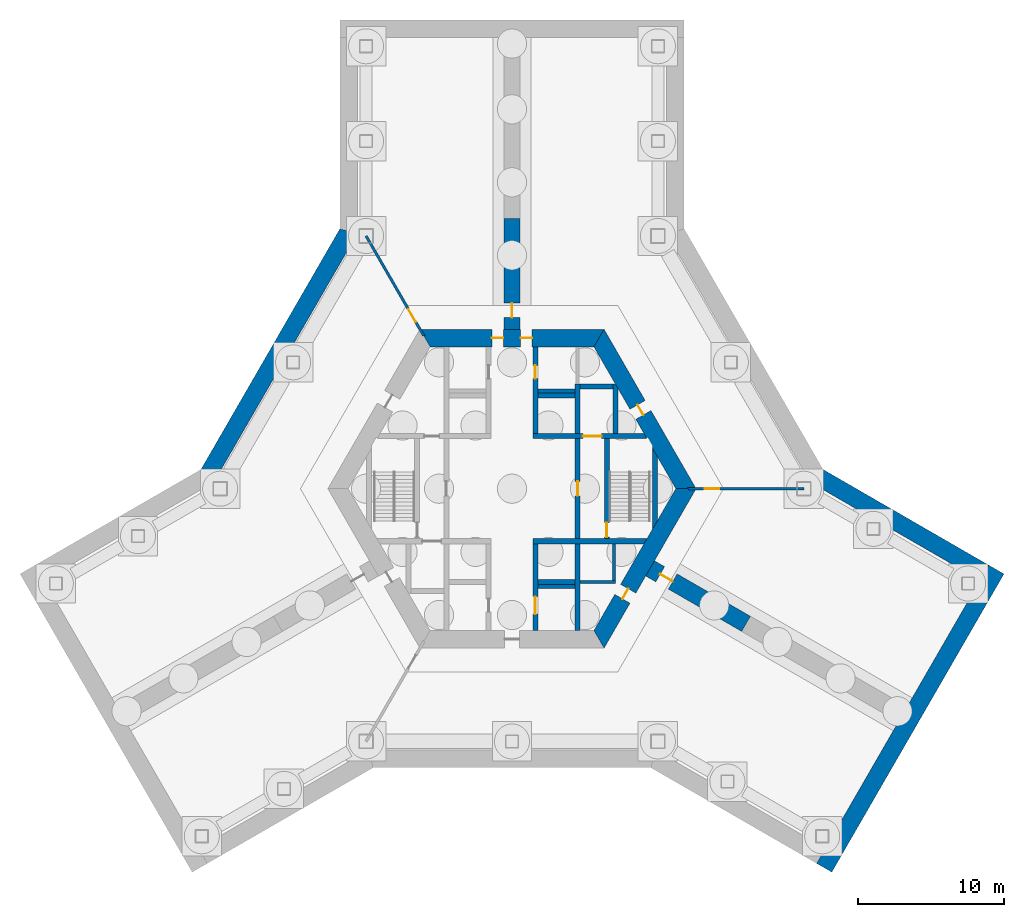
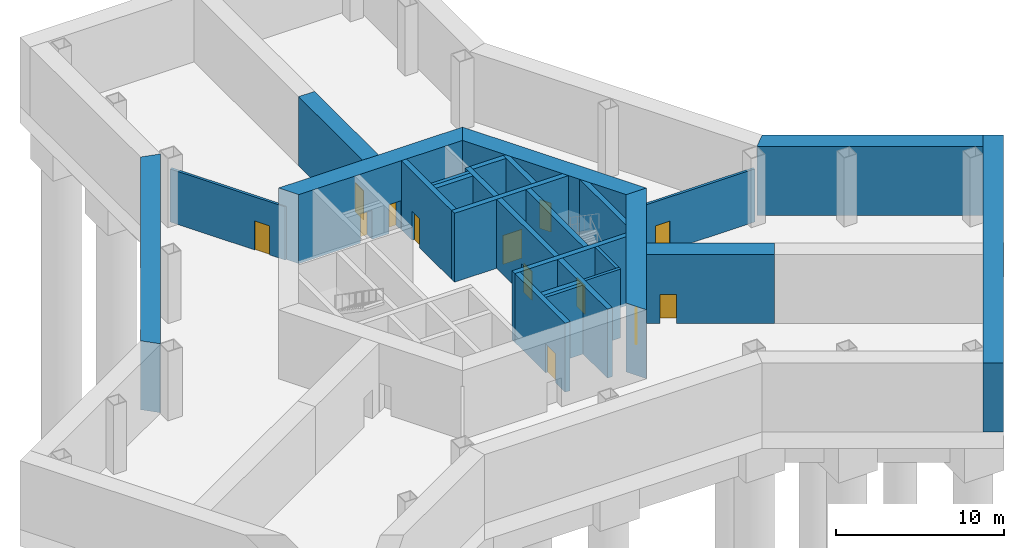
# One storey, part 3 of 5: 27 walls, 13 doors, 13 openings.
"""IFC4 building model written with IfcOpenShell, lengths in metres."""

from ifc_helpers import new_model, si_unit, direction, frame, frame_2d, origin, place, context, subcontext, project, spatial, polyline, rectangle, outline, extrude, material, layer, layer_set, type_object, element, fill, save


model = new_model("IFC4")

# Units and contexts
model_context = context("Model", 3, precision=1e-05, world=origin(), true_north=direction((0.0, 1.0)))
body_context = subcontext(model_context, "Body", "Model", "MODEL_VIEW")
ifc_project = project(units=[si_unit("LENGTHUNIT", "METRE"), si_unit("AREAUNIT", "SQUARE_METRE"), si_unit("VOLUMEUNIT", "CUBIC_METRE"), si_unit("PLANEANGLEUNIT", "RADIAN"), si_unit("MASSUNIT", "GRAM", prefix="KILO")], contexts=[model_context])

# Site, building, storey
site_placement = place(None, origin())
site = spatial("IfcSite", under=ifc_project, at=site_placement, CompositionType="ELEMENT")
building_placement = place(site_placement, origin())
building = spatial("IfcBuilding", under=site, at=building_placement, Name="Kasaneha Research Tower", CompositionType="ELEMENT")
storey_placement = place(building_placement, frame((0.0, 0.0, -10.0)))
storey = spatial("IfcBuildingStorey", under=building, at=storey_placement, Name="B2", CompositionType="ELEMENT", Elevation=-10.0)

# Walls
ifc_material_1 = material(Name="Concrete Fc60", Category="concrete")
ifc_layer_1 = layer(ifc_material_1, 1.199951171875)
ifc_layer_set_1 = layer_set([ifc_layer_1], Name="Basement retaining wall 1200 Fc60")
wall_type_1 = type_object("IfcWallType", Name="Basement retaining wall 1200 Fc60", PredefinedType="SOLIDWALL", material=ifc_layer_set_1)
wall_1_placement = place(storey_placement, frame((-20.87841796875, 0.87841796875, 0.0), z_axis=(0.0, 0.0, 1.0), x_axis=(0.499998307868, 0.866026380735, 0.0)))
element("IfcWall", 1, at=wall_1_placement, inside=storey, type_object=wall_type_1, Name="Retaining wall 2 B2", PredefinedType="SOLIDWALL", context=body_context, shape_type="SweptSolid", body=[
    extrude(outline(polyline([(-0.160888671875, -0.60009765625), (19.517822265625, -0.60009765625), (19.196044921875, 0.60009765625), (0.160888671875, 0.60009765625), (-0.160888671875, -0.60009765625)])), origin(), (0.0, 0.0, 1.0), 5.0),
])
wall_2_placement = place(storey_placement, frame((20.87841796875, 0.87841796875, 0.0), z_axis=(0.0, 0.0, 1.0), x_axis=(0.866028209229, -0.499995140796, 0.0)))
element("IfcWall", 2, at=wall_2_placement, inside=storey, type_object=wall_type_1, Name="Retaining wall 7 B2", PredefinedType="SOLIDWALL", context=body_context, shape_type="SweptSolid", body=[
    extrude(outline(polyline([(-0.160888671875, -0.60009765625), (13.278564453125, -0.60009765625), (13.278564453125, 0.60009765625), (0.160888671875, 0.60009765625), (-0.160888671875, -0.60009765625)])), origin(), (0.0, 0.0, 1.0), 5.0),
])
wall_3_placement = place(storey_placement, frame((33.197509765625, -5.541259765625, 0.0), z_axis=(0.0, 0.0, 1.0), x_axis=(-0.500005427746, -0.866022270051, 0.0)))
element("IfcWall", 3, at=wall_3_placement, inside=storey, type_object=wall_type_1, Name="Retaining wall 8 B2", PredefinedType="SOLIDWALL", context=body_context, shape_type="SweptSolid", body=[
    extrude(rectangle(XDim=23.599853515625, YDim=1.199951171875, at=frame_2d((11.7998046875, 0.0))), origin(), (0.0, 0.0, 1.0), 5.0),
])

# Wall, opening, door
ifc_material_2 = material(Name="Concrete Fc100", Category="concrete")
ifc_layer_2 = layer(ifc_material_2, 0.35009765625)
ifc_layer_set_2 = layer_set([ifc_layer_2], Name="Core internal wall 350 Fc100")
wall_type_2 = type_object("IfcWallType", Name="Core internal wall 350 Fc100", PredefinedType="SHEAR", material=ifc_layer_set_2)
wall_4_placement = place(storey_placement, frame((1.425048828125, 3.60009765625, 0.0), z_axis=(0.0, 0.0, 1.0), x_axis=(1.0, 0.0, 0.0)))
wall_4 = element("IfcWall", 4, at=wall_4_placement, inside=storey, type_object=wall_type_2, Name="Core wall W1E B2", PredefinedType="SHEAR", context=body_context, shape_type="SweptSolid", body=[
    extrude(outline(polyline([(0.0, -0.175048828125), (3.425048828125, -0.175048828125), (4.72509765625, -0.175048828125), (7.8271484375, -0.175048828125), (7.625, 0.175048828125), (4.72509765625, 0.175048828125), (3.425048828125, 0.175048828125), (0.0, 0.175048828125), (0.0, -0.175048828125)])), origin(), (0.0, 0.0, 1.0), 5.0),
])
opening_1_placement = place(wall_4_placement, frame((3.425048828125, 0.0, 0.0)))
opening_1 = element("IfcOpeningElement", 5, at=opening_1_placement, cuts=wall_4, Name="Opening LD-FL1-B2", PredefinedType="OPENING", context=body_context, shape_type="SweptSolid", body=[
    extrude(rectangle(XDim=1.300048828125, YDim=2.10009765625, at=frame_2d((0.64990234375, 1.050048828125))), frame((0.0, 0.18505859375, 0.0), z_axis=(0.0, -1.0, 0.0), x_axis=(1.0, 0.0, 0.0)), (0.0, 0.0, 1.0), 0.3701171875),
])
ifc_material_3 = material(Name="Steel", Category="steel")
door_type_1 = type_object("IfcDoorType", Name="Lift landing door 1300x2100", OperationType="DOUBLE_DOOR_SLIDING", PredefinedType="DOOR", material=ifc_material_3)
door_1_placement = place(opening_1_placement, origin())
door_1 = element("IfcDoor", 6, at=door_1_placement, inside=storey, type_object=door_type_1, Name="Landing door FL1 LD-FL1-B2", OperationType="DOUBLE_DOOR_SLIDING", OverallHeight=2.10009765625, OverallWidth=1.300048828125, PredefinedType="DOOR", context=body_context, shape_type="SweptSolid", body=[
    extrude(rectangle(XDim=1.300048828125, YDim=2.10009765625, at=frame_2d((0.64990234375, 1.050048828125))), frame((0.0, 0.02490234375, 0.0), z_axis=(0.0, -1.0, 0.0), x_axis=(1.0, 0.0, 0.0)), (0.0, 0.0, 1.0), 0.050048828125),
])
fill(opening_1, door_1)

# Wall
wall_5_placement = place(storey_placement, frame((1.425048828125, -3.60009765625, 0.0), z_axis=(0.0, 0.0, 1.0), x_axis=(1.0, 0.0, 0.0)))
element("IfcWall", 7, at=wall_5_placement, inside=storey, type_object=wall_type_2, Name="Core wall W2E B2", PredefinedType="SHEAR", context=body_context, shape_type="SweptSolid", body=[
    extrude(outline(polyline([(0.0, -0.175048828125), (7.625, -0.175048828125), (7.8271484375, 0.175048828125), (0.0, 0.175048828125), (0.0, -0.175048828125)])), origin(), (0.0, 0.0, 1.0), 5.0),
])

# Wall, opening, door
wall_6_placement = place(storey_placement, frame((1.60009765625, 3.77490234375, 0.0), z_axis=(0.0, 0.0, 1.0), x_axis=(0.0, 1.0, 0.0)))
wall_6 = element("IfcWall", 8, at=wall_6_placement, inside=storey, type_object=wall_type_2, Name="Core wall CNE B2", PredefinedType="SHEAR", context=body_context, shape_type="SweptSolid", body=[
    extrude(rectangle(XDim=5.9501953125, YDim=0.35009765625, at=frame_2d((2.97509765625, 0.0))), origin(), (0.0, 0.0, 1.0), 5.0),
])
opening_2_placement = place(wall_6_placement, frame((3.77490234375, 0.0, 0.0)))
opening_2 = element("IfcOpeningElement", 9, at=opening_2_placement, cuts=wall_6, Name="Opening B2-D14", PredefinedType="OPENING", context=body_context, shape_type="SweptSolid", body=[
    extrude(rectangle(XDim=0.89990234375, YDim=2.10009765625, at=frame_2d((0.449951171875, 1.050048828125))), frame((0.0, 0.18505859375, 0.0), z_axis=(0.0, -1.0, 0.0), x_axis=(1.0, 0.0, 0.0)), (0.0, 0.0, 1.0), 0.3701171875),
])
ifc_material_4 = material(Name="Steel", Category="steel")
door_type_2 = type_object("IfcDoorType", Name="Toilet door FD20 900x2100", OperationType="NOTDEFINED", PredefinedType="DOOR", material=ifc_material_4)
door_2_placement = place(opening_2_placement, origin())
door_2 = element("IfcDoor", 10, at=door_2_placement, inside=storey, type_object=door_type_2, Name="Women's WC door B2-D14", OperationType="SINGLE_SWING_LEFT", OverallHeight=2.10009765625, OverallWidth=0.89990234375, PredefinedType="DOOR", context=body_context, shape_type="SweptSolid", body=[
    extrude(rectangle(XDim=0.89990234375, YDim=2.10009765625, at=frame_2d((0.449951171875, 1.050048828125))), frame((0.0, 0.02490234375, 0.0), z_axis=(0.0, -1.0, 0.0), x_axis=(1.0, 0.0, 0.0)), (0.0, 0.0, 1.0), 0.050048828125),
])
fill(opening_2, door_2)

wall_7_placement = place(storey_placement, frame((1.60009765625, -3.77490234375, 0.0), z_axis=(0.0, 0.0, 1.0), x_axis=(0.0, -1.0, 0.0)))
wall_7 = element("IfcWall", 11, at=wall_7_placement, inside=storey, type_object=wall_type_2, Name="Core wall CSE B2", PredefinedType="SHEAR", context=body_context, shape_type="SweptSolid", body=[
    extrude(rectangle(XDim=5.9501953125, YDim=0.35009765625, at=frame_2d((2.97509765625, 0.0))), origin(), (0.0, 0.0, 1.0), 5.0),
])
opening_3_placement = place(wall_7_placement, frame((3.625, 0.0, 0.0)))
opening_3 = element("IfcOpeningElement", 12, at=opening_3_placement, cuts=wall_7, Name="Opening B2-D15", PredefinedType="OPENING", context=body_context, shape_type="SweptSolid", body=[
    extrude(rectangle(XDim=1.199951171875, YDim=2.10009765625, at=frame_2d((0.60009765625, 1.050048828125))), frame((0.0, 0.18505859375, 0.0), z_axis=(0.0, -1.0, 0.0), x_axis=(1.0, 0.0, 0.0)), (0.0, 0.0, 1.0), 0.3701171875),
])
ifc_material_5 = material(Name="Steel", Category="steel")
door_type_3 = type_object("IfcDoorType", Name="Accessible toilet sliding door FD20 1200x2100", OperationType="SLIDING_TO_LEFT", PredefinedType="DOOR", material=ifc_material_5)
door_3_placement = place(opening_3_placement, origin())
door_3 = element("IfcDoor", 13, at=door_3_placement, inside=storey, type_object=door_type_3, Name="Accessible WC door B2-D15", OperationType="SLIDING_TO_LEFT", OverallHeight=2.10009765625, OverallWidth=1.199951171875, PredefinedType="DOOR", context=body_context, shape_type="SweptSolid", body=[
    extrude(rectangle(XDim=1.199951171875, YDim=2.10009765625, at=frame_2d((0.60009765625, 1.050048828125))), frame((0.0, 0.02490234375, 0.0), z_axis=(0.0, -1.0, 0.0), x_axis=(1.0, 0.0, 0.0)), (0.0, 0.0, 1.0), 0.050048828125),
])
fill(opening_3, door_3)

wall_8_placement = place(storey_placement, frame((4.5, -3.425048828125, 0.0), z_axis=(0.0, 0.0, 1.0), x_axis=(0.0, 1.0, 0.0)))
wall_8 = element("IfcWall", 14, at=wall_8_placement, inside=storey, type_object=wall_type_2, Name="Core wall LBE B2", PredefinedType="SHEAR", context=body_context, shape_type="SweptSolid", body=[
    extrude(rectangle(XDim=6.85009765625, YDim=0.35009765625, at=frame_2d((3.425048828125, 0.0))), origin(), (0.0, 0.0, 1.0), 5.0),
])
opening_4_placement = place(wall_8_placement, frame((2.925048828125, 0.0, 0.0)))
opening_4 = element("IfcOpeningElement", 15, at=opening_4_placement, cuts=wall_8, Name="Opening B2-D08", PredefinedType="OPENING", context=body_context, shape_type="SweptSolid", body=[
    extrude(rectangle(XDim=1.0, YDim=2.10009765625, at=frame_2d((0.5, 1.050048828125))), frame((0.0, 0.18505859375, 0.0), z_axis=(0.0, -1.0, 0.0), x_axis=(1.0, 0.0, 0.0)), (0.0, 0.0, 1.0), 0.3701171875),
])
ifc_material_6 = material(Name="Steel", Category="steel")
door_type_4 = type_object("IfcDoorType", Name="Specified fire door FD60 1000x2100", OperationType="NOTDEFINED", PredefinedType="DOOR", material=ifc_material_6)
door_4_placement = place(opening_4_placement, origin())
door_4 = element("IfcDoor", 16, at=door_4_placement, inside=storey, type_object=door_type_4, Name="Lift lobby door east B2-D08", OperationType="SINGLE_SWING_LEFT", OverallHeight=2.10009765625, OverallWidth=1.0, PredefinedType="DOOR", context=body_context, shape_type="SweptSolid", body=[
    extrude(rectangle(XDim=1.0, YDim=2.10009765625, at=frame_2d((0.5, 1.050048828125))), frame((0.0, 0.02490234375, 0.0), z_axis=(0.0, -1.0, 0.0), x_axis=(1.0, 0.0, 0.0)), (0.0, 0.0, 1.0), 0.050048828125),
])
fill(opening_4, door_4)

wall_9_placement = place(storey_placement, frame((6.5, -3.425048828125, 0.0), z_axis=(0.0, 0.0, 1.0), x_axis=(0.0, 1.0, 0.0)))
wall_9 = element("IfcWall", 17, at=wall_9_placement, inside=storey, type_object=wall_type_2, Name="Core wall ANE B2", PredefinedType="SHEAR", context=body_context, shape_type="SweptSolid", body=[
    extrude(rectangle(XDim=6.85009765625, YDim=0.35009765625, at=frame_2d((3.425048828125, 0.0))), origin(), (0.0, 0.0, 1.0), 5.0),
])
opening_5_placement = place(wall_9_placement, frame((0.10009765625, 0.0, 0.0)))
opening_5 = element("IfcOpeningElement", 18, at=opening_5_placement, cuts=wall_9, Name="Opening B2-D10", PredefinedType="OPENING", context=body_context, shape_type="SweptSolid", body=[
    extrude(rectangle(XDim=1.0, YDim=2.10009765625, at=frame_2d((0.5, 1.050048828125))), frame((0.0, 0.18505859375, 0.0), z_axis=(0.0, -1.0, 0.0), x_axis=(1.0, 0.0, 0.0)), (0.0, 0.0, 1.0), 0.3701171875),
])
door_5_placement = place(opening_5_placement, origin())
door_5 = element("IfcDoor", 19, at=door_5_placement, inside=storey, type_object=door_type_4, Name="Stair 1 door B2-D10", OperationType="SINGLE_SWING_LEFT", OverallHeight=2.10009765625, OverallWidth=1.0, PredefinedType="DOOR", context=body_context, shape_type="SweptSolid", body=[
    extrude(rectangle(XDim=1.0, YDim=2.10009765625, at=frame_2d((0.5, 1.050048828125))), frame((0.0, 0.02490234375, 0.0), z_axis=(0.0, -1.0, 0.0), x_axis=(1.0, 0.0, 0.0)), (0.0, 0.0, 1.0), 0.050048828125),
])
fill(opening_5, door_5)

# Walls
wall_10_placement = place(storey_placement, frame((4.5, 3.77490234375, 0.0), z_axis=(0.0, 0.0, 1.0), x_axis=(0.0, 1.0, 0.0)))
element("IfcWall", 20, at=wall_10_placement, inside=storey, type_object=wall_type_2, Name="Core wall FNE B2", PredefinedType="SHEAR", context=body_context, shape_type="SweptSolid", body=[
    extrude(rectangle(XDim=3.400146484375, YDim=0.35009765625, at=frame_2d((1.7001953125, 0.0))), origin(), (0.0, 0.0, 1.0), 5.0),
])
wall_11_placement = place(storey_placement, frame((4.5, -3.77490234375, 0.0), z_axis=(0.0, 0.0, 1.0), x_axis=(0.0, -1.0, 0.0)))
element("IfcWall", 21, at=wall_11_placement, inside=storey, type_object=wall_type_2, Name="Core wall SSE B2", PredefinedType="SHEAR", context=body_context, shape_type="SweptSolid", body=[
    extrude(rectangle(XDim=5.9501953125, YDim=0.35009765625, at=frame_2d((2.97509765625, 0.0))), origin(), (0.0, 0.0, 1.0), 5.0),
])
for number, where, z_axis, x_axis, name in (
    (22, (1.77490234375, 6.39990234375, 0.0), (0.0, 0.0, 1.0), (1.0, 0.0, 0.0), "Core wall N3N B2"),
    (23, (1.77490234375, -6.39990234375, 0.0), (0.0, 0.0, 1.0), (1.0, 0.0, 0.0), "Core wall S3S B2"),
):
    element("IfcWall", number, at=place(storey_placement, frame(where, z_axis=z_axis, x_axis=x_axis)), inside=storey, type_object=wall_type_2, Name=name, PredefinedType="SHEAR", context=body_context, shape_type="SweptSolid", body=[
        extrude(rectangle(XDim=2.550048828125, YDim=0.35009765625, at=frame_2d((1.27490234375, 0.0))), origin(), (0.0, 0.0, 1.0), 5.0),
    ])
wall_12_placement = place(storey_placement, frame((4.675048828125, 7.0, 0.0), z_axis=(0.0, 0.0, 1.0), x_axis=(1.0, 0.0, 0.0)))
element("IfcWall", 24, at=wall_12_placement, inside=storey, type_object=wall_type_2, Name="Core wall F1N B2", PredefinedType="SHEAR", context=body_context, shape_type="SweptSolid", body=[
    extrude(rectangle(XDim=2.25, YDim=0.35009765625, at=frame_2d((1.125, 0.0))), origin(), (0.0, 0.0, 1.0), 5.0),
])
wall_13_placement = place(storey_placement, frame((7.10009765625, 3.77490234375, 0.0), z_axis=(0.0, 0.0, 1.0), x_axis=(0.0, 1.0, 0.0)))
element("IfcWall", 25, at=wall_13_placement, inside=storey, type_object=wall_type_2, Name="Core wall F1E B2", PredefinedType="SHEAR", context=body_context, shape_type="SweptSolid", body=[
    extrude(outline(polyline([(0.0, -0.175048828125), (3.07421875, -0.175048828125), (3.37744140625, 0.0), (3.39990234375, 0.175048828125), (0.0, 0.175048828125), (0.0, -0.175048828125)])), origin(), (0.0, 0.0, 1.0), 5.0),
])
wall_14_placement = place(storey_placement, frame((9.807861328125, -2.462158203125, 0.0), z_axis=(0.0, 0.0, 1.0), x_axis=(0.0, 1.0, 0.0)))
element("IfcWall", 26, at=wall_14_placement, inside=storey, type_object=wall_type_2, Name="Core wall STE B2", PredefinedType="SHEAR", context=body_context, shape_type="SweptSolid", body=[
    extrude(outline(polyline([(0.30322265625, -0.175048828125), (4.62109375, -0.175048828125), (5.2275390625, 0.175048828125), (-0.30322265625, 0.175048828125), (0.30322265625, -0.175048828125)])), origin(), (0.0, 0.0, 1.0), 5.0),
])

# Wall, opening, door
ifc_material_7 = material(Name="Concrete Fc100", Category="concrete")
ifc_layer_3 = layer(ifc_material_7, 1.199951171875)
ifc_layer_set_3 = layer_set([ifc_layer_3], Name="Core wall 1200 Fc100")
wall_type_3 = type_object("IfcWallType", Name="Core wall 1200 Fc100", PredefinedType="SHEAR", material=ifc_layer_set_3)
wall_15_placement = place(storey_placement, frame((11.92236328125, 0.0, 0.0), z_axis=(0.0, 0.0, 1.0), x_axis=(-0.500004296715, 0.866022923061, 0.0)))
wall_15 = element("IfcWall", 27, at=wall_15_placement, inside=storey, type_object=wall_type_3, Name="Core wall 030 B2", PredefinedType="SHEAR", context=body_context, shape_type="SweptSolid", body=[
    extrude(outline(polyline([(-0.346435546875, -0.60009765625), (5.83544921875, -0.60009765625), (6.635498046875, -0.60009765625), (12.268798828125, -0.60009765625), (11.575927734375, 0.60009765625), (6.635498046875, 0.60009765625), (5.83544921875, 0.60009765625), (0.346435546875, 0.60009765625), (-0.346435546875, -0.60009765625)])), origin(), (0.0, 0.0, 1.0), 5.0),
])
opening_6_placement = place(wall_15_placement, frame((5.83544921875, 0.0, 0.0)))
opening_6 = element("IfcOpeningElement", 28, at=opening_6_placement, cuts=wall_15, Name="Opening B2-D04", PredefinedType="OPENING", context=body_context, shape_type="SweptSolid", body=[
    extrude(rectangle(XDim=0.800048828125, YDim=2.10009765625, at=frame_2d((0.39990234375, 1.050048828125))), frame((0.0, 0.60986328125, 0.0), z_axis=(0.0, -1.0, 0.0), x_axis=(1.0, 0.0, 0.0)), (0.0, 0.0, 1.0), 1.219970703125),
])
ifc_material_8 = material(Name="Steel", Category="steel")
door_type_5 = type_object("IfcDoorType", Name="Riser access door FD60 800x2100", OperationType="NOTDEFINED", PredefinedType="DOOR", material=ifc_material_8)
door_6_placement = place(opening_6_placement, origin())
door_6 = element("IfcDoor", 29, at=door_6_placement, inside=storey, type_object=door_type_5, Name="Pipe riser door B2-D04", OperationType="SINGLE_SWING_RIGHT", OverallHeight=2.10009765625, OverallWidth=0.800048828125, PredefinedType="DOOR", context=body_context, shape_type="SweptSolid", body=[
    extrude(rectangle(XDim=0.800048828125, YDim=2.10009765625, at=frame_2d((0.39990234375, 1.050048828125))), frame((0.0, 0.02490234375, 0.0), z_axis=(0.0, -1.0, 0.0), x_axis=(1.0, 0.0, 0.0)), (0.0, 0.0, 1.0), 0.050048828125),
])
fill(opening_6, door_6)

# Wall, openings, doors
wall_16_placement = place(storey_placement, frame((5.961181640625, 10.324951171875, 0.0), z_axis=(0.0, 0.0, 1.0), x_axis=(-1.0, 0.0, 0.0)))
wall_16 = element("IfcWall", 30, at=wall_16_placement, inside=storey, type_object=wall_type_3, Name="Core wall 090 B2", PredefinedType="SHEAR", context=body_context, shape_type="SweptSolid", body=[
    extrude(outline(polyline([(-0.346435546875, -0.60009765625), (4.57373046875, -0.60009765625), (5.373779296875, -0.60009765625), (6.548583984375, -0.60009765625), (7.3486328125, -0.60009765625), (12.268798828125, -0.60009765625), (11.575927734375, 0.60009765625), (7.3486328125, 0.60009765625), (6.548583984375, 0.60009765625), (5.373779296875, 0.60009765625), (4.57373046875, 0.60009765625), (0.346435546875, 0.60009765625), (-0.346435546875, -0.60009765625)])), origin(), (0.0, 0.0, 1.0), 5.0),
])
opening_7_placement = place(wall_16_placement, frame((6.548583984375, 0.0, 0.0)))
opening_7 = element("IfcOpeningElement", 31, at=opening_7_placement, cuts=wall_16, Name="Opening B2-D01", PredefinedType="OPENING", context=body_context, shape_type="SweptSolid", body=[
    extrude(rectangle(XDim=0.800048828125, YDim=2.10009765625, at=frame_2d((0.39990234375, 1.050048828125))), frame((0.0, 0.60986328125, 0.0), z_axis=(0.0, -1.0, 0.0), x_axis=(1.0, 0.0, 0.0)), (0.0, 0.0, 1.0), 1.219970703125),
])
opening_8_placement = place(wall_16_placement, frame((4.57373046875, 0.0, 0.0)))
opening_8 = element("IfcOpeningElement", 32, at=opening_8_placement, cuts=wall_16, Name="Opening B2-D02", PredefinedType="OPENING", context=body_context, shape_type="SweptSolid", body=[
    extrude(rectangle(XDim=0.800048828125, YDim=2.10009765625, at=frame_2d((0.39990234375, 1.050048828125))), frame((0.0, 0.60986328125, 0.0), z_axis=(0.0, -1.0, 0.0), x_axis=(1.0, 0.0, 0.0)), (0.0, 0.0, 1.0), 1.219970703125),
])
ifc_material_9 = material(Name="Steel", Category="steel")
door_type_6 = type_object("IfcDoorType", Name="Core service door FD20 800x2100", OperationType="NOTDEFINED", PredefinedType="DOOR", material=ifc_material_9)
door_7_placement = place(opening_7_placement, origin())
door_7 = element("IfcDoor", 33, at=door_7_placement, inside=storey, type_object=door_type_6, Name="Core door north 1 B2-D01", OperationType="SINGLE_SWING_RIGHT", OverallHeight=2.10009765625, OverallWidth=0.800048828125, PredefinedType="DOOR", context=body_context, shape_type="SweptSolid", body=[
    extrude(rectangle(XDim=0.800048828125, YDim=2.10009765625, at=frame_2d((0.39990234375, 1.050048828125))), frame((0.0, 0.02490234375, 0.0), z_axis=(0.0, -1.0, 0.0), x_axis=(1.0, 0.0, 0.0)), (0.0, 0.0, 1.0), 0.050048828125),
])
fill(opening_7, door_7)
door_8_placement = place(opening_8_placement, origin())
door_8 = element("IfcDoor", 34, at=door_8_placement, inside=storey, type_object=door_type_6, Name="Core door north 2 B2-D02", OperationType="SINGLE_SWING_LEFT", OverallHeight=2.10009765625, OverallWidth=0.800048828125, PredefinedType="DOOR", context=body_context, shape_type="SweptSolid", body=[
    extrude(rectangle(XDim=0.800048828125, YDim=2.10009765625, at=frame_2d((0.39990234375, 1.050048828125))), frame((0.0, 0.02490234375, 0.0), z_axis=(0.0, -1.0, 0.0), x_axis=(1.0, 0.0, 0.0)), (0.0, 0.0, 1.0), 0.050048828125),
])
fill(opening_8, door_8)

# Wall, opening, door
wall_17_placement = place(storey_placement, frame((5.961181640625, -10.324951171875, 0.0), z_axis=(0.0, 0.0, 1.0), x_axis=(0.500004296715, 0.866022923061, 0.0)))
wall_17 = element("IfcWall", 35, at=wall_17_placement, inside=storey, type_object=wall_type_3, Name="Core wall 330 B2", PredefinedType="SHEAR", context=body_context, shape_type="SweptSolid", body=[
    extrude(outline(polyline([(-0.346435546875, -0.60009765625), (3.20849609375, -0.60009765625), (4.008544921875, -0.60009765625), (12.268798828125, -0.60009765625), (11.575927734375, 0.60009765625), (4.008544921875, 0.60009765625), (3.20849609375, 0.60009765625), (0.346435546875, 0.60009765625), (-0.346435546875, -0.60009765625)])), origin(), (0.0, 0.0, 1.0), 5.0),
])
opening_9_placement = place(wall_17_placement, frame((3.20849609375, 0.0, 0.0)))
opening_9 = element("IfcOpeningElement", 36, at=opening_9_placement, cuts=wall_17, Name="Opening B2-D05", PredefinedType="OPENING", context=body_context, shape_type="SweptSolid", body=[
    extrude(rectangle(XDim=0.800048828125, YDim=2.10009765625, at=frame_2d((0.39990234375, 1.050048828125))), frame((0.0, 0.60986328125, 0.0), z_axis=(0.0, -1.0, 0.0), x_axis=(1.0, 0.0, 0.0)), (0.0, 0.0, 1.0), 1.219970703125),
])
door_9_placement = place(opening_9_placement, origin())
door_9 = element("IfcDoor", 37, at=door_9_placement, inside=storey, type_object=door_type_5, Name="Pipe riser door B2-D05", OperationType="SINGLE_SWING_LEFT", OverallHeight=2.10009765625, OverallWidth=0.800048828125, PredefinedType="DOOR", context=body_context, shape_type="SweptSolid", body=[
    extrude(rectangle(XDim=0.800048828125, YDim=2.10009765625, at=frame_2d((0.39990234375, 1.050048828125))), frame((0.0, 0.02490234375, 0.0), z_axis=(0.0, -1.0, 0.0), x_axis=(1.0, 0.0, 0.0)), (0.0, 0.0, 1.0), 0.050048828125),
])
fill(opening_9, door_9)

# Walls
ifc_material_10 = material(Name="Concrete block", Category="concrete")
ifc_layer_4 = layer(ifc_material_10, 0.199951171875)
ifc_layer_set_4 = layer_set([ifc_layer_4], Name="Lift shaft wall 200")
wall_type_4 = type_object("IfcWallType", Name="Lift shaft wall 200", PredefinedType="STANDARD", material=ifc_layer_set_4)
wall_18_placement = place(storey_placement, frame((4.675048828125, -6.39990234375, 0.0), z_axis=(0.0, 0.0, 1.0), x_axis=(1.0, 0.0, 0.0)))
element("IfcWall", 38, at=wall_18_placement, inside=storey, type_object=wall_type_4, Name="Lift shaft wall P1S B2", PredefinedType="STANDARD", context=body_context, shape_type="SweptSolid", body=[
    extrude(rectangle(XDim=2.425048828125, YDim=0.199951171875, at=frame_2d((1.21240234375, 0.0))), origin(), (0.0, 0.0, 1.0), 5.0),
])
wall_19_placement = place(storey_placement, frame((7.0, -3.77490234375, 0.0), z_axis=(0.0, 0.0, 1.0), x_axis=(0.0, -1.0, 0.0)))
element("IfcWall", 39, at=wall_19_placement, inside=storey, type_object=wall_type_4, Name="Lift shaft wall P1E B2", PredefinedType="STANDARD", context=body_context, shape_type="SweptSolid", body=[
    extrude(rectangle(XDim=2.525146484375, YDim=0.199951171875, at=frame_2d((1.2626953125, 0.0))), origin(), (0.0, 0.0, 1.0), 5.0),
])

# Wall, opening, door
ifc_material_11 = material(Name="Concrete Fc100", Category="concrete")
ifc_layer_5 = layer(ifc_material_11, 1.10009765625)
ifc_layer_set_5 = layer_set([ifc_layer_5], Name="Spine wall 1100 Fc100")
wall_type_5 = type_object("IfcWallType", Name="Spine wall 1100 Fc100", PredefinedType="SHEAR", material=ifc_layer_set_5)
wall_20_placement = place(storey_placement, frame((0.0, 10.925048828125, 0.0), z_axis=(0.0, 0.0, 1.0), x_axis=(0.0, 1.0, 0.0)))
wall_20 = element("IfcWall", 40, at=wall_20_placement, inside=storey, type_object=wall_type_5, Name="Spine wall A B2", PredefinedType="SHEAR", context=body_context, shape_type="SweptSolid", body=[
    extrude(rectangle(XDim=7.595458984375, YDim=1.10009765625, at=frame_2d((3.7978515625, 0.0))), origin(), (0.0, 0.0, 1.0), 5.0),
])
opening_10_placement = place(wall_20_placement, frame((0.800048828125, 0.0, 0.0)))
opening_10 = element("IfcOpeningElement", 41, at=opening_10_placement, cuts=wall_20, Name="Opening B2-D17", PredefinedType="OPENING", context=body_context, shape_type="SweptSolid", body=[
    extrude(rectangle(XDim=1.0, YDim=2.10009765625, at=frame_2d((0.5, 1.050048828125))), frame((0.0, 0.56005859375, 0.0), z_axis=(0.0, -1.0, 0.0), x_axis=(1.0, 0.0, 0.0)), (0.0, 0.0, 1.0), 1.1201171875),
])
door_10_placement = place(opening_10_placement, origin())
door_10 = element("IfcDoor", 42, at=door_10_placement, inside=storey, type_object=door_type_4, Name="Spine doorway A B2-D17", OperationType="SINGLE_SWING_LEFT", OverallHeight=2.10009765625, OverallWidth=1.0, PredefinedType="DOOR", context=body_context, shape_type="SweptSolid", body=[
    extrude(rectangle(XDim=1.0, YDim=2.10009765625, at=frame_2d((0.5, 1.050048828125))), frame((0.0, 0.02490234375, 0.0), z_axis=(0.0, -1.0, 0.0), x_axis=(1.0, 0.0, 0.0)), (0.0, 0.0, 1.0), 0.050048828125),
])
fill(opening_10, door_10)

ifc_material_12 = material(Name="Concrete Fc100", Category="concrete")
ifc_layer_6 = layer(ifc_material_12, 1.199951171875)
ifc_layer_set_6 = layer_set([ifc_layer_6], Name="Spine wall 1200 Fc100")
wall_type_6 = type_object("IfcWallType", Name="Spine wall 1200 Fc100", PredefinedType="SHEAR", material=ifc_layer_set_6)
wall_21_placement = place(storey_placement, frame((9.46142578125, -5.46240234375, 0.0), z_axis=(0.0, 0.0, 1.0), x_axis=(0.866019116917, -0.500010889016, 0.0)))
wall_21 = element("IfcWall", 43, at=wall_21_placement, inside=storey, type_object=wall_type_6, Name="Spine wall C B2", PredefinedType="SHEAR", context=body_context, shape_type="SweptSolid", body=[
    extrude(rectangle(XDim=7.595458984375, YDim=1.199951171875, at=frame_2d((3.7978515625, 0.0))), origin(), (0.0, 0.0, 1.0), 5.0),
])
opening_11_placement = place(wall_21_placement, frame((0.800048828125, 0.0, 0.0)))
opening_11 = element("IfcOpeningElement", 44, at=opening_11_placement, cuts=wall_21, Name="Opening B2-D19", PredefinedType="OPENING", context=body_context, shape_type="SweptSolid", body=[
    extrude(rectangle(XDim=1.0, YDim=2.10009765625, at=frame_2d((0.5, 1.050048828125))), frame((0.0, 0.60986328125, 0.0), z_axis=(0.0, -1.0, 0.0), x_axis=(1.0, 0.0, 0.0)), (0.0, 0.0, 1.0), 1.219970703125),
])
door_11_placement = place(opening_11_placement, origin())
door_11 = element("IfcDoor", 45, at=door_11_placement, inside=storey, type_object=door_type_4, Name="Spine doorway C B2-D19", OperationType="SINGLE_SWING_LEFT", OverallHeight=2.10009765625, OverallWidth=1.0, PredefinedType="DOOR", context=body_context, shape_type="SweptSolid", body=[
    extrude(rectangle(XDim=1.0, YDim=2.10009765625, at=frame_2d((0.5, 1.050048828125))), frame((0.0, 0.02490234375, 0.0), z_axis=(0.0, -1.0, 0.0), x_axis=(1.0, 0.0, 0.0)), (0.0, 0.0, 1.0), 0.050048828125),
])
fill(opening_11, door_11)

ifc_material_13 = material(Name="Gypsum board on steel studs, two layers each side", Category="steel")
ifc_layer_7 = layer(ifc_material_13, 0.175048828125)
ifc_layer_set_7 = layer_set([ifc_layer_7], Name="Tenancy fire partition 175")
wall_type_7 = type_object("IfcWallType", Name="Tenancy fire partition 175", PredefinedType="PARTITIONING", material=ifc_layer_set_7)
wall_22_placement = place(storey_placement, frame((12.070068359375, 0.0, 0.0), z_axis=(0.0, 0.0, 1.0), x_axis=(1.0, 0.0, 0.0)))
wall_22 = element("IfcWall", 46, at=wall_22_placement, inside=storey, type_object=wall_type_7, Name="Tenancy fire partition T000 B2", PredefinedType="PARTITIONING", context=body_context, shape_type="SweptSolid", body=[
    extrude(outline(polyline([(0.050537109375, -0.08740234375), (1.12939453125, -0.08740234375), (2.12939453125, -0.08740234375), (7.929931640625, -0.08740234375), (7.929931640625, 0.08740234375), (2.12939453125, 0.08740234375), (1.12939453125, 0.08740234375), (-0.050537109375, 0.08740234375), (0.050537109375, -0.08740234375)])), origin(), (0.0, 0.0, 1.0), 3.85009765625),
])
opening_12_placement = place(wall_22_placement, frame((1.12939453125, 0.0, 0.0)))
opening_12 = element("IfcOpeningElement", 47, at=opening_12_placement, cuts=wall_22, Name="Opening B2-D20", PredefinedType="OPENING", context=body_context, shape_type="SweptSolid", body=[
    extrude(rectangle(XDim=1.0, YDim=2.10009765625, at=frame_2d((0.5, 1.050048828125))), frame((0.0, 0.09765625, 0.0), z_axis=(0.0, -1.0, 0.0), x_axis=(1.0, 0.0, 0.0)), (0.0, 0.0, 1.0), 0.195068359375),
])
ifc_material_14 = material(Name="Steel", Category="steel")
door_type_7 = type_object("IfcDoorType", Name="Suite entrance door FD60 1000x2100", OperationType="NOTDEFINED", PredefinedType="DOOR", material=ifc_material_14)
door_12_placement = place(opening_12_placement, origin())
door_12 = element("IfcDoor", 48, at=door_12_placement, inside=storey, type_object=door_type_7, Name="Connecting door B2-D20", OperationType="SINGLE_SWING_LEFT", OverallHeight=2.10009765625, OverallWidth=1.0, PredefinedType="DOOR", context=body_context, shape_type="SweptSolid", body=[
    extrude(rectangle(XDim=1.0, YDim=2.10009765625, at=frame_2d((0.5, 1.050048828125))), frame((0.0, 0.02490234375, 0.0), z_axis=(0.0, -1.0, 0.0), x_axis=(1.0, 0.0, 0.0)), (0.0, 0.0, 1.0), 0.050048828125),
])
fill(opening_12, door_12)

wall_23_placement = place(storey_placement, frame((-6.03515625, 10.453125, 0.0), z_axis=(0.0, 0.0, 1.0), x_axis=(-0.499993402427, 0.866029212861, 0.0)))
wall_23 = element("IfcWall", 49, at=wall_23_placement, inside=storey, type_object=wall_type_7, Name="Tenancy fire partition T120 B2", PredefinedType="PARTITIONING", context=body_context, shape_type="SweptSolid", body=[
    extrude(outline(polyline([(-0.050537109375, -0.08740234375), (1.12939453125, -0.08740234375), (2.12939453125, -0.08740234375), (7.9296875, -0.08740234375), (7.9296875, 0.08740234375), (2.12939453125, 0.08740234375), (1.12939453125, 0.08740234375), (0.050537109375, 0.08740234375), (-0.050537109375, -0.08740234375)])), origin(), (0.0, 0.0, 1.0), 3.85009765625),
])
opening_13_placement = place(wall_23_placement, frame((1.12939453125, 0.0, 0.0)))
opening_13 = element("IfcOpeningElement", 50, at=opening_13_placement, cuts=wall_23, Name="Opening B2-D21", PredefinedType="OPENING", context=body_context, shape_type="SweptSolid", body=[
    extrude(rectangle(XDim=1.0, YDim=2.10009765625, at=frame_2d((0.5, 1.050048828125))), frame((0.0, 0.09765625, 0.0), z_axis=(0.0, -1.0, 0.0), x_axis=(1.0, 0.0, 0.0)), (0.0, 0.0, 1.0), 0.195068359375),
])
door_13_placement = place(opening_13_placement, origin())
door_13 = element("IfcDoor", 51, at=door_13_placement, inside=storey, type_object=door_type_7, Name="Connecting door B2-D21", OperationType="SINGLE_SWING_LEFT", OverallHeight=2.10009765625, OverallWidth=1.0, PredefinedType="DOOR", context=body_context, shape_type="SweptSolid", body=[
    extrude(rectangle(XDim=1.0, YDim=2.10009765625, at=frame_2d((0.5, 1.050048828125))), frame((0.0, 0.02490234375, 0.0), z_axis=(0.0, -1.0, 0.0), x_axis=(1.0, 0.0, 0.0)), (0.0, 0.0, 1.0), 0.050048828125),
])
fill(opening_13, door_13)

# Walls
ifc_material_15 = material(Name="Concrete block lining", Category="concrete")
ifc_layer_8 = layer(ifc_material_15, 0.25)
ifc_layer_set_8 = layer_set([ifc_layer_8], Name="WC plumbing wall 250")
wall_type_8 = type_object("IfcWallType", Name="WC plumbing wall 250", PredefinedType="PLUMBINGWALL", material=ifc_layer_set_8)
for number, where, z_axis, x_axis, name in (
    (52, (1.77490234375, 6.699951171875, 0.0), (0.0, 0.0, 1.0), (1.0, 0.0, 0.0), "WC plumbing wall F B2"),
    (53, (1.77490234375, -6.699951171875, 0.0), (0.0, 0.0, 1.0), (1.0, 0.0, 0.0), "WC plumbing wall A B2"),
):
    element("IfcWall", number, at=place(storey_placement, frame(where, z_axis=z_axis, x_axis=x_axis)), inside=storey, type_object=wall_type_8, Name=name, PredefinedType="PLUMBINGWALL", context=body_context, shape_type="SweptSolid", body=[
        extrude(rectangle(XDim=2.550048828125, YDim=0.25, at=frame_2d((1.27490234375, 0.0))), origin(), (0.0, 0.0, 1.0), 5.0),
    ])

save(model, "model.ifc")
